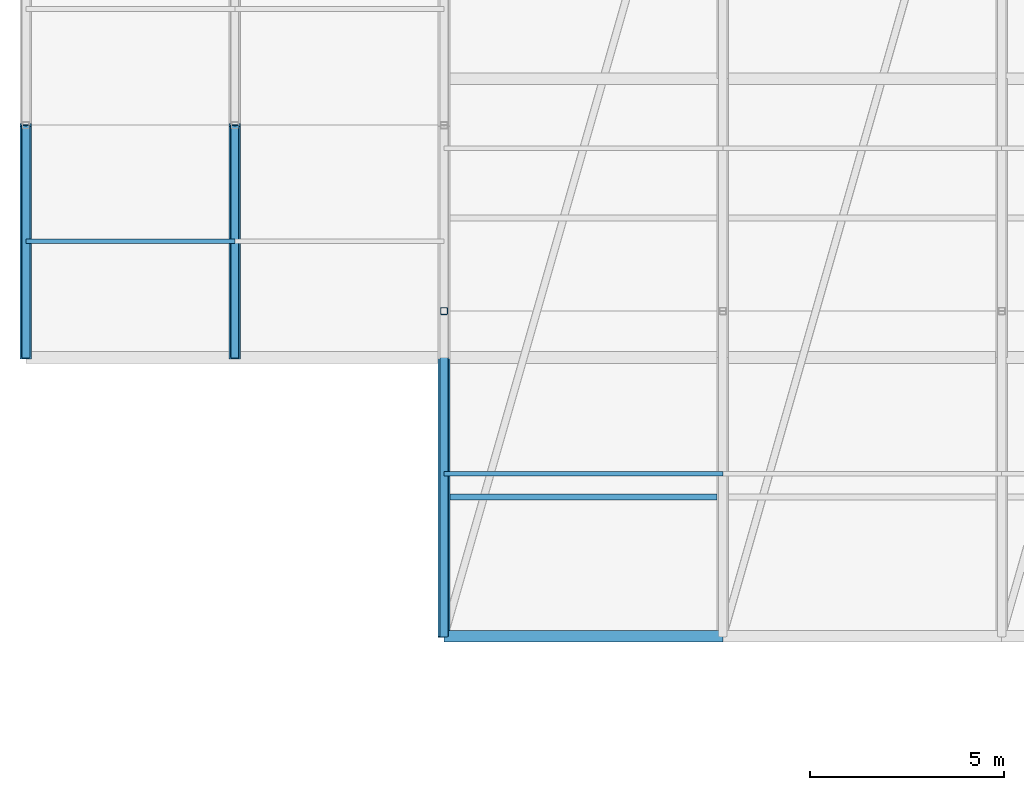
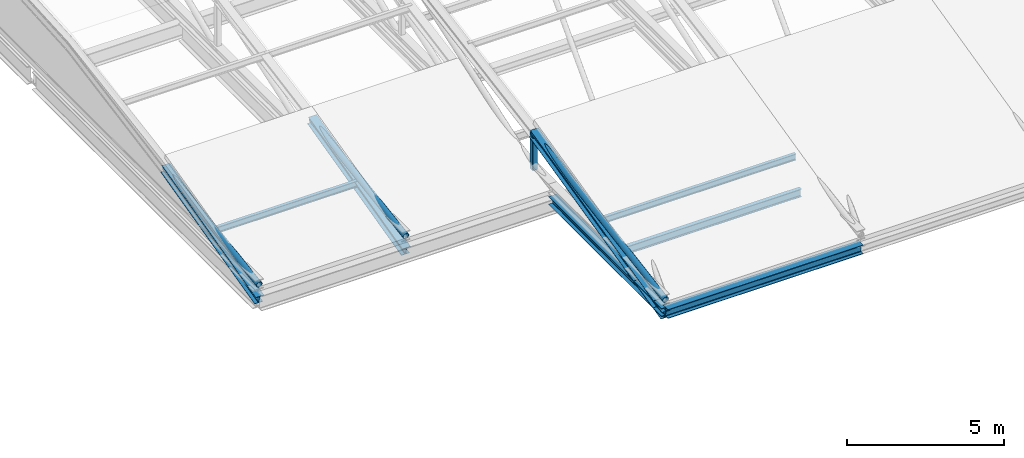
# One storey, part 10 of 76: 7 members, 5 beams.
"""IFC4 building model written with IfcOpenShell, lengths in metres."""

from ifc_helpers import new_model, si_unit, direction, frame, origin, origin_2d, place, context, subcontext, project, spatial, hollow_rectangle, hollow_circle, i_section, extrude, material, material_profile, profile_set, type_object, element, save


model = new_model("IFC4")

# Units and contexts
model_context = context("Model", 3, precision=1e-05, world=origin(), true_north=direction((0.0, 1.0)))
body_context = subcontext(model_context, "Body", "Model", "MODEL_VIEW")
ifc_project = project(units=[si_unit("LENGTHUNIT", "METRE"), si_unit("AREAUNIT", "SQUARE_METRE"), si_unit("VOLUMEUNIT", "CUBIC_METRE"), si_unit("PLANEANGLEUNIT", "RADIAN"), si_unit("MASSUNIT", "GRAM", prefix="KILO")], contexts=[model_context])

# Site, building, storey
site_placement = place(None, origin())
site = spatial("IfcSite", under=ifc_project, at=site_placement, CompositionType="ELEMENT")
building_placement = place(site_placement, origin())
building = spatial("IfcBuilding", under=site, at=building_placement, Name="Zlatovets Crest Museum", CompositionType="ELEMENT")
storey_placement = place(building_placement, frame((0.0, 0.0, 17.10009765625)))
storey = spatial("IfcBuildingStorey", under=building, at=storey_placement, Name="L04", CompositionType="ELEMENT", Elevation=17.10009765625)

# Beams
ifc_material = material(Name="Structural steel S355J2", Category="steel")
ifc_material_profile_1 = material_profile(ifc_material, i_section(OverallWidth=0.300048828125, OverallDepth=0.35009765625, WebThickness=0.010009765625, FlangeThickness=0.017578125, FilletRadius=0.027099609375, at=origin_2d()), Name="HEA 360")
ifc_profile_set_1 = profile_set([ifc_material_profile_1], Name="Structural steel S355J2")
beam_type_1 = type_object("IfcBeamType", Name="Beam_B-03", PredefinedType="BEAM", material=ifc_profile_set_1)
beam_1_placement = place(storey_placement, frame((7.199951171875, 50.39990234375, -0.39501953125), z_axis=(1.0, 0.0, 0.0), x_axis=(0.0, 1.0, 0.0)))
element("IfcBeam", 1, at=beam_1_placement, inside=storey, type_object=beam_type_1, Name="V4 L04 Primary Girder B-03", PredefinedType="BEAM", context=body_context, shape_type="SweptSolid", body=[
    extrude(i_section(OverallWidth=0.300048828125, OverallDepth=0.35009765625, WebThickness=0.010009765625, FlangeThickness=0.017578125, FilletRadius=0.027099609375, at=origin_2d()), origin(), (0.0, 0.0, 1.0), 7.199951171875),
])
ifc_material_profile_2 = material_profile(ifc_material, i_section(OverallWidth=0.300048828125, OverallDepth=0.31005859375, WebThickness=0.009033203125, FlangeThickness=0.015380859375, FilletRadius=0.027099609375, at=origin_2d()), Name="HEA 320")
ifc_profile_set_2 = profile_set([ifc_material_profile_2], Name="Structural steel S355J2")
beam_type_2 = type_object("IfcBeamType", Name="Beam_B-04", PredefinedType="BEAM", material=ifc_profile_set_2)
beam_2_placement = place(storey_placement, frame((7.199951171875, 50.39990234375, -0.375), z_axis=(0.0, 1.0, 0.0), x_axis=(-1.0, 0.0, 0.0)))
element("IfcBeam", 2, at=beam_2_placement, inside=storey, type_object=beam_type_2, Name="V4 L04 Grid Beam B-04", PredefinedType="BEAM", context=body_context, shape_type="SweptSolid", body=[
    extrude(i_section(OverallWidth=0.300048828125, OverallDepth=0.31005859375, WebThickness=0.009033203125, FlangeThickness=0.015380859375, FilletRadius=0.027099609375, at=origin_2d()), origin(), (0.0, 0.0, 1.0), 7.2001953125),
])
ifc_material_profile_3 = material_profile(ifc_material, i_section(OverallWidth=0.14990234375, OverallDepth=0.300048828125, WebThickness=0.007080078125, FlangeThickness=0.0107421875, FilletRadius=0.014892578125, at=origin_2d()), Name="IPE 300")
ifc_profile_set_3 = profile_set([ifc_material_profile_3], Name="Structural steel S355J2")
beam_type_3 = type_object("IfcBeamType", Name="Beam_J-02", PredefinedType="JOIST", material=ifc_profile_set_3)
beam_3_placement = place(storey_placement, frame((7.35009765625, 54.0, -0.3701171875), z_axis=(1.0, 0.0, 0.0), x_axis=(0.0, 1.0, 0.0)))
element("IfcBeam", 3, at=beam_3_placement, inside=storey, type_object=beam_type_3, Name="V4 L04 Composite Joist J-02", PredefinedType="JOIST", context=body_context, shape_type="SweptSolid", body=[
    extrude(i_section(OverallWidth=0.14990234375, OverallDepth=0.300048828125, WebThickness=0.007080078125, FlangeThickness=0.0107421875, FilletRadius=0.014892578125, at=origin_2d()), origin(), (0.0, 0.0, 1.0), 6.89990234375),
])
ifc_material_profile_4 = material_profile(ifc_material, i_section(OverallWidth=0.1201171875, OverallDepth=0.239990234375, WebThickness=0.006103515625, FlangeThickness=0.009765625, FilletRadius=0.014892578125, at=origin_2d()), Name="IPE 240")
ifc_profile_set_4 = profile_set([ifc_material_profile_4], Name="Structural steel S355J2")
beam_type_4 = type_object("IfcBeamType", Name="Beam_PR-01", PredefinedType="BEAM", material=ifc_profile_set_4)
beam_4_placement = place(storey_placement, frame((7.199951171875, 54.60009765625, 0.599853515625), z_axis=(1.0, 0.0, 0.0), x_axis=(0.0, 1.0, 0.0)))
element("IfcBeam", 4, at=beam_4_placement, inside=storey, type_object=beam_type_4, Name="V4 Barrel Vault Longitudinal Purlin", PredefinedType="BEAM", context=body_context, shape_type="SweptSolid", body=[
    extrude(i_section(OverallWidth=0.1201171875, OverallDepth=0.239990234375, WebThickness=0.006103515625, FlangeThickness=0.009765625, FilletRadius=0.014892578125, at=origin_2d()), origin(), (0.0, 0.0, 1.0), 7.199951171875),
])
beam_5_placement = place(storey_placement, frame((-3.60009765625, 60.60009765625, 0.349853515625), z_axis=(1.0, 0.0, 0.0), x_axis=(0.0, 1.0, 0.0)))
element("IfcBeam", 5, at=beam_5_placement, inside=storey, type_object=beam_type_4, Name="V4 Barrel Vault Longitudinal Purlin", PredefinedType="BEAM", context=body_context, shape_type="SweptSolid", body=[
    extrude(i_section(OverallWidth=0.1201171875, OverallDepth=0.239990234375, WebThickness=0.006103515625, FlangeThickness=0.009765625, FilletRadius=0.014892578125, at=origin_2d()), origin(), (0.0, 0.0, 1.0), 5.400146484375),
])

# Members
ifc_material_profile_5 = material_profile(ifc_material, i_section(OverallWidth=0.300048828125, OverallDepth=0.31005859375, WebThickness=0.009033203125, FlangeThickness=0.015380859375, FilletRadius=0.027099609375, at=origin_2d()), Name="HEA 320")
ifc_profile_set_5 = profile_set([ifc_material_profile_5], Name="Structural steel S355J2")
member_type_1 = type_object("IfcMemberType", Name="Member_TM-02", PredefinedType="RAFTER", material=ifc_profile_set_5)
member_1_placement = place(storey_placement, frame((7.199951171875, 50.39990234375, -0.5), z_axis=(0.0, 0.97280712477, 0.231616704918), x_axis=(-1.0, 0.0, 0.0)))
element("IfcMember", 6, at=member_1_placement, inside=storey, type_object=member_type_1, Name="V4 Art Nouveau Curved Vault Rib", PredefinedType="RAFTER", context=body_context, shape_type="SweptSolid", body=[
    extrude(i_section(OverallWidth=0.300048828125, OverallDepth=0.31005859375, WebThickness=0.009033203125, FlangeThickness=0.015380859375, FilletRadius=0.027099609375, at=origin_2d()), origin(), (0.0, 0.0, 1.0), 8.635009765625),
])
for number, where, z_axis, x_axis, name in (
    (7, (-3.60009765625, 57.60009765625, -0.5), (0.0, 0.970142500145, 0.242535625036), (-1.0, 0.0, 0.0), "V4 Art Nouveau Curved Vault Rib"),
    (8, (1.800048828125, 57.60009765625, -0.5), (0.0, 0.970142500145, 0.242535625036), (-1.0, 0.0, 0.0), "V4 Art Nouveau Curved Vault Rib"),
):
    element("IfcMember", number, at=place(storey_placement, frame(where, z_axis=z_axis, x_axis=x_axis)), inside=storey, type_object=member_type_1, Name=name, PredefinedType="RAFTER", context=body_context, shape_type="SweptSolid", body=[
        extrude(i_section(OverallWidth=0.300048828125, OverallDepth=0.31005859375, WebThickness=0.009033203125, FlangeThickness=0.015380859375, FilletRadius=0.027099609375, at=origin_2d()), origin(), (0.0, 0.0, 1.0), 6.1845703125),
    ])
ifc_material_profile_6 = material_profile(ifc_material, hollow_rectangle(XDim=0.179931640625, YDim=0.179931640625, WallThickness=0.010009765625, InnerFilletRadius=0.010009765625, OuterFilletRadius=0.02001953125, at=origin_2d()), Name="SHS 180x180x10.0")
ifc_profile_set_6 = profile_set([ifc_material_profile_6], Name="Structural steel S355J2")
member_type_2 = type_object("IfcMemberType", Name="Member_TM-04", PredefinedType="STRUT", material=ifc_profile_set_6)
member_2_placement = place(storey_placement, frame((7.199951171875, 58.800048828125, 0.079833984375), z_axis=(0.0, 0.0, 1.0), x_axis=(1.0, 0.0, 0.0)))
element("IfcMember", 9, at=member_2_placement, inside=storey, type_object=member_type_2, Name="V4 Barrel Vault Web Strut", PredefinedType="STRUT", context=body_context, shape_type="SweptSolid", body=[
    extrude(hollow_rectangle(XDim=0.179931640625, YDim=0.179931640625, WallThickness=0.010009765625, InnerFilletRadius=0.010009765625, OuterFilletRadius=0.02001953125, at=origin_2d()), origin(), (0.0, 0.0, 1.0), 1.420166015625),
])
ifc_material_profile_7 = material_profile(ifc_material, hollow_circle(Radius=0.109619140625, WallThickness=0.010009765625, at=origin_2d()), Name="CHS 219.1x10.0")
ifc_profile_set_7 = profile_set([ifc_material_profile_7], Name="Structural steel S355J2")
member_type_3 = type_object("IfcMemberType", Name="Member_TM-05", PredefinedType="BRACE", material=ifc_profile_set_7)
member_3_placement = place(storey_placement, frame((7.199951171875, 50.39990234375, 0.079833984375), z_axis=(0.0, 0.986007854898, 0.166698860463), x_axis=(-1.0, 0.0, 0.0)))
element("IfcMember", 10, at=member_3_placement, inside=storey, type_object=member_type_3, Name="V4 Barrel Vault Web Diagonal", PredefinedType="BRACE", context=body_context, shape_type="SweptSolid", body=[
    extrude(hollow_circle(Radius=0.109619140625, WallThickness=0.010009765625, at=origin_2d()), origin(), (0.0, 0.0, 1.0), 8.519287109375),
])
for number, where, z_axis, x_axis, name in (
    (11, (-3.60009765625, 57.60009765625, 0.079833984375), (0.0, 0.988443656931, 0.151588710245), (-1.0, 0.0, 0.0), "V4 Barrel Vault Web Diagonal"),
    (12, (1.800048828125, 57.60009765625, 0.079833984375), (0.0, 0.988443656931, 0.151588710245), (-1.0, 0.0, 0.0), "V4 Barrel Vault Web Diagonal"),
):
    element("IfcMember", number, at=place(storey_placement, frame(where, z_axis=z_axis, x_axis=x_axis)), inside=storey, type_object=member_type_3, Name=name, PredefinedType="BRACE", context=body_context, shape_type="SweptSolid", body=[
        extrude(hollow_circle(Radius=0.109619140625, WallThickness=0.010009765625, at=origin_2d()), origin(), (0.0, 0.0, 1.0), 6.070068359375),
    ])

save(model, "model.ifc")
